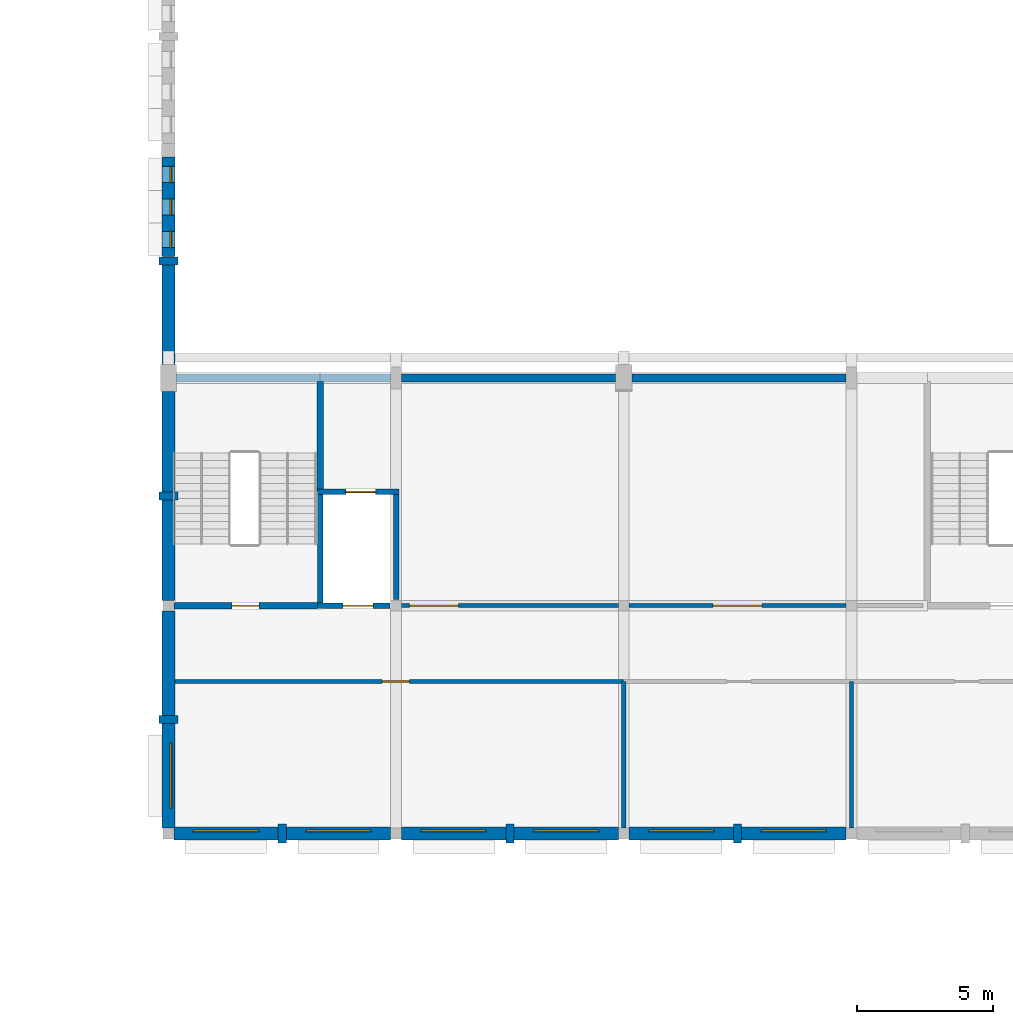
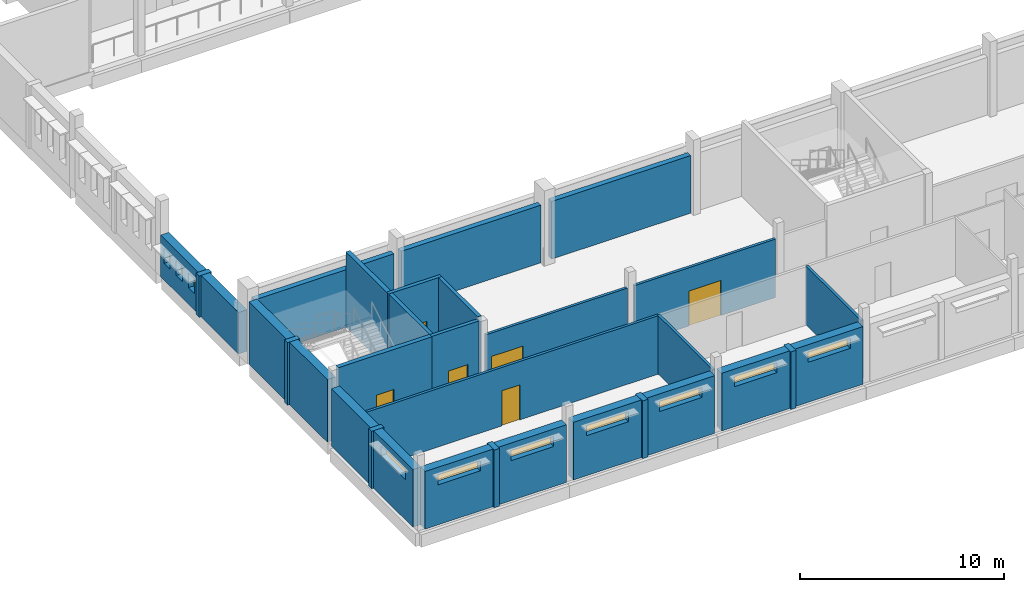
# One storey, part 32 of 60: 32 walls, 10 windows, 6 doors, 16 openings.
"""IFC4 building model written with IfcOpenShell, lengths in metres."""

import ifcopenshell
import ifcopenshell.guid

model = None  # the IFC model being written
_history = None  # IfcOwnerHistory: only IFC2X3 demands one
_inside = {}  # id of a spatial element -> (the spatial element, [elements in it])
_under = {}  # id of a project, library or spatial element -> (it, [spatial elements below it])
_declared = {}  # id of a project -> (the project, [libraries it declares])
_typed = {}  # id of a type object -> (the type object, [elements of that type])
_made_of = {}  # id of a material, layer set ... -> (it, [elements and type objects made of it])


def new_model(schema):
    """Start an empty IFC model of exactly this schema.

    Asked for "IFC4X3", IfcOpenShell would pick the latest addendum, in which some entities
    have other attributes; the version numbers below select the first issue.
    IFC2X3 requires an IfcOwnerHistory on every rooted entity: one is made here for all.
    """
    global model, _history
    if schema == "IFC4X3":
        model = ifcopenshell.file(schema_version=(4, 3, 0, 0))
    else:
        model = ifcopenshell.file(schema=schema)
    _inside.clear()
    _under.clear()
    _declared.clear()
    _typed.clear()
    _made_of.clear()
    _history = None
    if model.schema == "IFC2X3":
        org = make("IfcOrganization", Name="unknown")
        user = make(
            "IfcPersonAndOrganization",
            ThePerson=make("IfcPerson", FamilyName="unknown"),
            TheOrganization=org,
        )
        app = make(
            "IfcApplication",
            ApplicationDeveloper=org,
            Version="unknown",
            ApplicationFullName="unknown",
            ApplicationIdentifier="unknown",
        )
        _history = make(
            "IfcOwnerHistory",
            OwningUser=user,
            OwningApplication=app,
            ChangeAction="ADDED",
            CreationDate=0,
        )
    return model


def make(cls, **values):
    """One entity of the class cls with the attributes given. An attribute that is None is left unset."""
    return model.create_entity(
        cls, **{name: value for name, value in values.items() if value is not None}
    )


def rooted(cls, **values):
    """An entity with a GlobalId (a new one), such as an element, a storey or a relation."""
    return make(cls, GlobalId=ifcopenshell.guid.new(), OwnerHistory=_history, **values)


def si_unit(unit_type, name, prefix=None):
    """IfcSIUnit, for example si_unit("LENGTHUNIT", "METRE", prefix="MILLI")."""
    return make("IfcSIUnit", UnitType=unit_type, Prefix=prefix, Name=name)


def assignment(units):
    """IfcUnitAssignment: the units of a project."""
    return None if units is None else make("IfcUnitAssignment", Units=units)


def point(xyz):
    """IfcCartesianPoint."""
    return None if xyz is None else make("IfcCartesianPoint", Coordinates=xyz)


def direction(xyz):
    """IfcDirection."""
    return None if xyz is None else make("IfcDirection", DirectionRatios=xyz)


def frame(location, z_axis=None, x_axis=None):
    """IfcAxis2Placement3D, a coordinate frame: its origin and axes. An axis left out is left unset."""
    return make(
        "IfcAxis2Placement3D",
        Location=point(location),
        Axis=direction(z_axis),
        RefDirection=direction(x_axis),
    )


def frame_2d(location, x_axis=None):
    """IfcAxis2Placement2D, a coordinate frame in the plane: its origin and x axis."""
    return make(
        "IfcAxis2Placement2D", Location=point(location), RefDirection=direction(x_axis)
    )


def origin():
    """The frame at (0, 0, 0) with its axes left unset."""
    return frame((0.0, 0.0, 0.0))


def place(relative_to, where):
    """IfcLocalPlacement: puts the frame where relative to a parent placement (None: the world)."""
    return make(
        "IfcLocalPlacement", PlacementRelTo=relative_to, RelativePlacement=where
    )


def context(
    kind, dimensions, precision=None, world=None, true_north=None, identifier=None
):
    """IfcGeometricRepresentationContext, for example the 3D "Model" context."""
    return make(
        "IfcGeometricRepresentationContext",
        ContextIdentifier=identifier,
        ContextType=kind,
        CoordinateSpaceDimension=dimensions,
        Precision=precision,
        WorldCoordinateSystem=world,
        TrueNorth=true_north,
    )


def subcontext(parent, identifier, kind, view, scale=None):
    """IfcGeometricRepresentationSubContext, for example "Body" below "Model"."""
    return make(
        "IfcGeometricRepresentationSubContext",
        ContextIdentifier=identifier,
        ContextType=kind,
        ParentContext=parent,
        TargetScale=scale,
        TargetView=view,
    )


def project(units=None, contexts=None):
    """IfcProject with its units and contexts."""
    return rooted(
        "IfcProject",
        Name="project",
        RepresentationContexts=contexts,
        UnitsInContext=assignment(units),
    )


def spatial(cls, under=None, at=None, **own):
    """A site, building, storey or space (cls), placed at a placement, below another one or the project."""
    s = rooted(cls, ObjectPlacement=at, **own)
    if under is not None:
        _under.setdefault(under.id(), (under, []))[1].append(s)
    return s


def profile(cls, at=None, kind="AREA", **sizes):
    """A parametric profile (cls). Its sizes go by their IFC names, for example OverallWidth=200.0."""
    return make(cls, ProfileType=kind, Position=at, **sizes)


def rectangle(**sizes):
    """IfcRectangleProfileDef."""
    return profile("IfcRectangleProfileDef", **sizes)


def extrude(swept, where, along, depth):
    """IfcExtrudedAreaSolid: the profile swept, set in the frame where, extruded along a direction by depth."""
    return make(
        "IfcExtrudedAreaSolid",
        SweptArea=swept,
        Position=where,
        ExtrudedDirection=direction(along),
        Depth=depth,
    )


def shape(context_of_items, identifier, shape_type, items):
    """IfcShapeRepresentation: the items that make up one representation, for example the "Body"."""
    return make(
        "IfcShapeRepresentation",
        ContextOfItems=context_of_items,
        RepresentationIdentifier=identifier,
        RepresentationType=shape_type,
        Items=items,
    )


def material(Name=None, Category=None):
    """IfcMaterial."""
    return make("IfcMaterial", Name=Name, Category=Category)


def layer(
    of_material, thickness, ventilated=None, Name=None, Category=None, Priority=None
):
    """IfcMaterialLayer: one layer of a wall or slab, of a material (None: an air gap)."""
    return make(
        "IfcMaterialLayer",
        Material=of_material,
        LayerThickness=thickness,
        IsVentilated=ventilated,
        Name=Name,
        Category=Category,
        Priority=Priority,
    )


def layer_set(layers, Name=None):
    """IfcMaterialLayerSet."""
    return make("IfcMaterialLayerSet", MaterialLayers=layers, LayerSetName=Name)


def made_of(thing, what):
    """Note that an element or type object is made of a material, layer set ...; save() writes the relation."""
    if what is not None:
        _made_of.setdefault(what.id(), (what, []))[1].append(thing)
    return thing


def type_object(cls, material=None, **own):
    """A type object (cls), such as IfcWallType, which elements share."""
    return made_of(rooted(cls, **own), material)


def element(
    cls,
    number,
    at=None,
    inside=None,
    cuts=None,
    type_object=None,
    material=None,
    context=None,
    identifier="Body",
    shape_type=None,
    held_by="IfcProductDefinitionShape",
    body=None,
    shapes=None,
    **own,
):
    """One element of the class cls, such as IfcWall. Its Tag is "e" and its number.

    at: its placement. inside: the storey or other place that contains it. cuts: it is an
    opening in that element (IfcRelVoidsElement). A single representation is given by context,
    identifier, shape_type and body (its items); several are given by shapes. held_by: the class
    of the entity that holds the representations. save() writes the other relations.
    """
    e = rooted(cls, Tag="e%d" % number, ObjectPlacement=at, **own)
    if body is not None:
        shapes = [shape(context, identifier, shape_type, body)]
    if shapes is not None:
        e.Representation = make(held_by, Representations=shapes)
    if inside is not None:
        _inside.setdefault(inside.id(), (inside, []))[1].append(e)
    if cuts is not None:
        rooted(
            "IfcRelVoidsElement", RelatingBuildingElement=cuts, RelatedOpeningElement=e
        )
    if type_object is not None:
        _typed.setdefault(type_object.id(), (type_object, []))[1].append(e)
    return made_of(e, material)


def fill(opening, filler):
    """IfcRelFillsElement: the door or window that sits in an opening."""
    return rooted(
        "IfcRelFillsElement",
        RelatingOpeningElement=opening,
        RelatedBuildingElement=filler,
    )


def aggregate(whole, parts):
    """IfcRelAggregates: a whole, such as a stair, and the parts it consists of."""
    return rooted("IfcRelAggregates", RelatingObject=whole, RelatedObjects=parts)


def save(model, path):
    """Write the relations noted so far, then the file.

    IfcRelAggregates (storeys below a building ...), IfcRelContainedInSpatialStructure (elements
    in a storey), IfcRelDefinesByType, IfcRelAssociatesMaterial and IfcRelDeclares: one each for
    every whole, place, type object, material and project.
    """
    for whole, parts in _under.values():
        aggregate(whole, parts)
    for where, things in _inside.values():
        rooted(
            "IfcRelContainedInSpatialStructure",
            RelatedElements=things,
            RelatingStructure=where,
        )
    for kind, things in _typed.values():
        rooted("IfcRelDefinesByType", RelatedObjects=things, RelatingType=kind)
    for what, things in _made_of.values():
        rooted("IfcRelAssociatesMaterial", RelatedObjects=things, RelatingMaterial=what)
    for by, libraries in _declared.values():
        rooted("IfcRelDeclares", RelatingContext=by, RelatedDefinitions=libraries)
    model.write(path)


model = new_model("IFC4")

# Units and contexts
model_context = context("Model", 3, precision=1e-05, world=origin(), true_north=direction((0.0, 1.0)))
body_context = subcontext(model_context, "Body", "Model", "MODEL_VIEW")
ifc_project = project(units=[si_unit("LENGTHUNIT", "METRE"), si_unit("AREAUNIT", "SQUARE_METRE"), si_unit("VOLUMEUNIT", "CUBIC_METRE"), si_unit("PLANEANGLEUNIT", "RADIAN"), si_unit("MASSUNIT", "GRAM", prefix="KILO")], contexts=[model_context])

# Site, building, storey
site_placement = place(None, origin())
site = spatial("IfcSite", under=ifc_project, at=site_placement, CompositionType="ELEMENT")
building_placement = place(site_placement, origin())
building = spatial("IfcBuilding", under=site, at=building_placement, Name="Fescue Hill Polytechnic", CompositionType="ELEMENT")
storey_placement = place(building_placement, frame((0.0, 0.0, 4.5)))
storey = spatial("IfcBuildingStorey", under=building, at=storey_placement, Name="L01", CompositionType="ELEMENT", Elevation=4.5)

# Wall, opening, door
ifc_material_1 = material(Name="Concrete 40 MPa", Category="concrete")
ifc_layer_1 = layer(ifc_material_1, 0.25)
ifc_layer_set_1 = layer_set([ifc_layer_1], Name="Concrete 40 MPa")
wall_type_1 = type_object("IfcWallType", Name="Core wall 250", PredefinedType="SHEAR", material=ifc_layer_set_1)
wall_1_placement = place(storey_placement, frame((0.199951171875, 8.39990234375, 0.0), z_axis=(0.0, 0.0, 1.0), x_axis=(1.0, 0.0, 0.0)))
wall_1 = element("IfcWall", 1, at=wall_1_placement, inside=storey, type_object=wall_type_1, Name="CW-L01-ST-V1-1-11", PredefinedType="SHEAR", context=body_context, shape_type="SweptSolid", body=[
    extrude(rectangle(XDim=5.300048828125, YDim=0.25, at=frame_2d((2.64990234375, 0.0))), origin(), (0.0, 0.0, 1.0), 4.5),
])
opening_1_placement = place(wall_1_placement, frame((2.14990234375, 0.0, 0.0)))
opening_1 = element("IfcOpeningElement", 2, at=opening_1_placement, cuts=wall_1, Name="Opening D1076", PredefinedType="OPENING", context=body_context, shape_type="SweptSolid", body=[
    extrude(rectangle(XDim=1.0, YDim=2.10009765625, at=frame_2d((0.5, 1.050048828125))), frame((0.0, 0.135009765625, 0.0), z_axis=(0.0, -1.0, 0.0), x_axis=(1.0, 0.0, 0.0)), (0.0, 0.0, 1.0), 0.27001953125),
])
ifc_material_2 = material(Name="Steel fire door", Category="steel")
door_type_1 = type_object("IfcDoorType", Name="Door single swing 1000x2100 stair fire rated", OperationType="NOTDEFINED", PredefinedType="DOOR", material=ifc_material_2)
door_1_placement = place(opening_1_placement, origin())
door_1 = element("IfcDoor", 3, at=door_1_placement, inside=storey, type_object=door_type_1, Name="L01 ST-V1-1 stair door", OperationType="SINGLE_SWING_LEFT", OverallHeight=2.10009765625, OverallWidth=1.0, PredefinedType="DOOR", context=body_context, shape_type="SweptSolid", body=[
    extrude(rectangle(XDim=1.0, YDim=2.10009765625, at=frame_2d((0.5, 1.050048828125))), frame((0.0, 0.02490234375, 0.0), z_axis=(0.0, -1.0, 0.0), x_axis=(1.0, 0.0, 0.0)), (0.0, 0.0, 1.0), 0.050048828125),
])
fill(opening_1, door_1)

# Walls
wall_2_placement = place(storey_placement, frame((5.60009765625, 12.610107421875, 0.0), z_axis=(0.0, 0.0, 1.0), x_axis=(0.0, 1.0, 0.0)))
element("IfcWall", 4, at=wall_2_placement, inside=storey, type_object=wall_type_1, Name="CW-L01-ST-V1-1-41", PredefinedType="SHEAR", context=body_context, shape_type="SweptSolid", body=[
    extrude(rectangle(XDim=4.06494140625, YDim=0.25, at=frame_2d((2.032470703125, 0.0))), origin(), (0.0, 0.0, 1.0), 4.5),
])
ifc_material_3 = material(Name="Clay brick masonry", Category="masonry")
ifc_layer_2 = layer(ifc_material_3, 0.47998046875)
ifc_layer_set_2 = layer_set([ifc_layer_2], Name="Clay brick masonry")
wall_type_2 = type_object("IfcWallType", Name="Exterior wall engineering brick cavity 480", PredefinedType="SOLIDWALL", material=ifc_layer_set_2)
wall_3_placement = place(storey_placement, frame((0.0, 8.199951171875, 0.0), z_axis=(0.0, 0.0, 1.0), x_axis=(0.0, -1.0, 0.0)))
element("IfcWall", 5, at=wall_3_placement, inside=storey, type_object=wall_type_2, Name="EW-L01-V1-3", PredefinedType="SOLIDWALL", context=body_context, shape_type="SweptSolid", body=[
    extrude(rectangle(XDim=3.849853515625, YDim=0.47998046875, at=frame_2d((1.9248046875, 0.0))), origin(), (0.0, 0.0, 1.0), 3.449951171875),
])

# Wall, opening, window
wall_4_placement = place(storey_placement, frame((0.0, 4.050048828125, 0.0), z_axis=(0.0, 0.0, 1.0), x_axis=(0.0, -1.0, 0.0)))
wall_4 = element("IfcWall", 6, at=wall_4_placement, inside=storey, type_object=wall_type_2, Name="EW-L01-V1-4", PredefinedType="SOLIDWALL", context=body_context, shape_type="SweptSolid", body=[
    extrude(rectangle(XDim=3.85009765625, YDim=0.47998046875, at=frame_2d((1.925048828125, 0.0))), origin(), (0.0, 0.0, 1.0), 3.449951171875),
])
opening_2_placement = place(wall_4_placement, frame((0.72509765625, 0.0, 2.39990234375)))
opening_2 = element("IfcOpeningElement", 7, at=opening_2_placement, cuts=wall_4, Name="Opening W2R", PredefinedType="OPENING", context=body_context, shape_type="SweptSolid", body=[
    extrude(rectangle(XDim=2.39990234375, YDim=0.60009765625, at=frame_2d((1.199951171875, 0.300048828125))), frame((0.0, 0.25, 0.0), z_axis=(0.0, -1.0, 0.0), x_axis=(1.0, 0.0, 0.0)), (0.0, 0.0, 1.0), 0.5),
])
ifc_material_4 = material(Name="Powder-coated aluminium and glass", Category="aluminium")
window_type_1 = type_object("IfcWindowType", Name="Window workshop high 2400x600", PartitioningType="TRIPLE_PANEL_VERTICAL", PredefinedType="WINDOW", material=ifc_material_4)
window_1_placement = place(opening_2_placement, origin())
window_1 = element("IfcWindow", 8, at=window_1_placement, inside=storey, type_object=window_type_1, Name="WN-L01-V1-1", OverallHeight=0.60009765625, OverallWidth=2.39990234375, PartitioningType="SINGLE_PANEL", PredefinedType="WINDOW", context=body_context, shape_type="SweptSolid", body=[
    extrude(rectangle(XDim=2.39990234375, YDim=0.60009765625, at=frame_2d((1.199951171875, 0.300048828125))), frame((0.0, 0.1201171875, 0.0), z_axis=(0.0, -1.0, 0.0), x_axis=(1.0, 0.0, 0.0)), (0.0, 0.0, 1.0), 0.06005859375),
])
fill(opening_2, window_1)

wall_5_placement = place(storey_placement, frame((0.199951171875, 0.0, 0.0), z_axis=(0.0, 0.0, 1.0), x_axis=(1.0, 0.0, 0.0)))
wall_5 = element("IfcWall", 9, at=wall_5_placement, inside=storey, type_object=wall_type_2, Name="EW-L01-V1-5", PredefinedType="SOLIDWALL", context=body_context, shape_type="SweptSolid", body=[
    extrude(rectangle(XDim=3.85009765625, YDim=0.47998046875, at=frame_2d((1.925048828125, 0.0))), origin(), (0.0, 0.0, 1.0), 3.449951171875),
])
opening_3_placement = place(wall_5_placement, frame((0.72509765625, 0.0, 2.39990234375)))
opening_3 = element("IfcOpeningElement", 10, at=opening_3_placement, cuts=wall_5, Name="Opening W2R", PredefinedType="OPENING", context=body_context, shape_type="SweptSolid", body=[
    extrude(rectangle(XDim=2.39990234375, YDim=0.60009765625, at=frame_2d((1.199951171875, 0.300048828125))), frame((0.0, 0.25, 0.0), z_axis=(0.0, -1.0, 0.0), x_axis=(1.0, 0.0, 0.0)), (0.0, 0.0, 1.0), 0.5),
])
window_2_placement = place(opening_3_placement, origin())
window_2 = element("IfcWindow", 11, at=window_2_placement, inside=storey, type_object=window_type_1, Name="WN-L01-V1-2", OverallHeight=0.60009765625, OverallWidth=2.39990234375, PartitioningType="SINGLE_PANEL", PredefinedType="WINDOW", context=body_context, shape_type="SweptSolid", body=[
    extrude(rectangle(XDim=2.39990234375, YDim=0.60009765625, at=frame_2d((1.199951171875, 0.300048828125))), frame((0.0, 0.1201171875, 0.0), z_axis=(0.0, -1.0, 0.0), x_axis=(1.0, 0.0, 0.0)), (0.0, 0.0, 1.0), 0.06005859375),
])
fill(opening_3, window_2)

wall_6_placement = place(storey_placement, frame((4.35009765625, 0.0, 0.0), z_axis=(0.0, 0.0, 1.0), x_axis=(1.0, 0.0, 0.0)))
wall_6 = element("IfcWall", 12, at=wall_6_placement, inside=storey, type_object=wall_type_2, Name="EW-L01-V1-6", PredefinedType="SOLIDWALL", context=body_context, shape_type="SweptSolid", body=[
    extrude(rectangle(XDim=3.849853515625, YDim=0.47998046875, at=frame_2d((1.9248046875, 0.0))), origin(), (0.0, 0.0, 1.0), 3.449951171875),
])
opening_4_placement = place(wall_6_placement, frame((0.72509765625, 0.0, 2.39990234375)))
opening_4 = element("IfcOpeningElement", 13, at=opening_4_placement, cuts=wall_6, Name="Opening W2R", PredefinedType="OPENING", context=body_context, shape_type="SweptSolid", body=[
    extrude(rectangle(XDim=2.39990234375, YDim=0.60009765625, at=frame_2d((1.199951171875, 0.300048828125))), frame((0.0, 0.25, 0.0), z_axis=(0.0, -1.0, 0.0), x_axis=(1.0, 0.0, 0.0)), (0.0, 0.0, 1.0), 0.5),
])
window_3_placement = place(opening_4_placement, origin())
window_3 = element("IfcWindow", 14, at=window_3_placement, inside=storey, type_object=window_type_1, Name="WN-L01-V1-3", OverallHeight=0.60009765625, OverallWidth=2.39990234375, PartitioningType="SINGLE_PANEL", PredefinedType="WINDOW", context=body_context, shape_type="SweptSolid", body=[
    extrude(rectangle(XDim=2.39990234375, YDim=0.60009765625, at=frame_2d((1.199951171875, 0.300048828125))), frame((0.0, 0.1201171875, 0.0), z_axis=(0.0, -1.0, 0.0), x_axis=(1.0, 0.0, 0.0)), (0.0, 0.0, 1.0), 0.06005859375),
])
fill(opening_4, window_3)

wall_7_placement = place(storey_placement, frame((8.60009765625, 0.0, 0.0), z_axis=(0.0, 0.0, 1.0), x_axis=(1.0, 0.0, 0.0)))
wall_7 = element("IfcWall", 15, at=wall_7_placement, inside=storey, type_object=wall_type_2, Name="EW-L01-V1-7", PredefinedType="SOLIDWALL", context=body_context, shape_type="SweptSolid", body=[
    extrude(rectangle(XDim=3.849853515625, YDim=0.47998046875, at=frame_2d((1.9248046875, 0.0))), origin(), (0.0, 0.0, 1.0), 3.449951171875),
])
opening_5_placement = place(wall_7_placement, frame((0.72509765625, 0.0, 2.39990234375)))
opening_5 = element("IfcOpeningElement", 16, at=opening_5_placement, cuts=wall_7, Name="Opening W2R", PredefinedType="OPENING", context=body_context, shape_type="SweptSolid", body=[
    extrude(rectangle(XDim=2.39990234375, YDim=0.60009765625, at=frame_2d((1.199951171875, 0.300048828125))), frame((0.0, 0.25, 0.0), z_axis=(0.0, -1.0, 0.0), x_axis=(1.0, 0.0, 0.0)), (0.0, 0.0, 1.0), 0.5),
])
window_4_placement = place(opening_5_placement, origin())
window_4 = element("IfcWindow", 17, at=window_4_placement, inside=storey, type_object=window_type_1, Name="WN-L01-V1-4", OverallHeight=0.60009765625, OverallWidth=2.39990234375, PartitioningType="SINGLE_PANEL", PredefinedType="WINDOW", context=body_context, shape_type="SweptSolid", body=[
    extrude(rectangle(XDim=2.39990234375, YDim=0.60009765625, at=frame_2d((1.199951171875, 0.300048828125))), frame((0.0, 0.1201171875, 0.0), z_axis=(0.0, -1.0, 0.0), x_axis=(1.0, 0.0, 0.0)), (0.0, 0.0, 1.0), 0.06005859375),
])
fill(opening_5, window_4)

wall_8_placement = place(storey_placement, frame((12.75, 0.0, 0.0), z_axis=(0.0, 0.0, 1.0), x_axis=(1.0, 0.0, 0.0)))
wall_8 = element("IfcWall", 18, at=wall_8_placement, inside=storey, type_object=wall_type_2, Name="EW-L01-V1-8", PredefinedType="SOLIDWALL", context=body_context, shape_type="SweptSolid", body=[
    extrude(rectangle(XDim=3.85009765625, YDim=0.47998046875, at=frame_2d((1.925048828125, 0.0))), origin(), (0.0, 0.0, 1.0), 3.449951171875),
])
opening_6_placement = place(wall_8_placement, frame((0.72509765625, 0.0, 2.39990234375)))
opening_6 = element("IfcOpeningElement", 19, at=opening_6_placement, cuts=wall_8, Name="Opening W2R", PredefinedType="OPENING", context=body_context, shape_type="SweptSolid", body=[
    extrude(rectangle(XDim=2.39990234375, YDim=0.60009765625, at=frame_2d((1.199951171875, 0.300048828125))), frame((0.0, 0.25, 0.0), z_axis=(0.0, -1.0, 0.0), x_axis=(1.0, 0.0, 0.0)), (0.0, 0.0, 1.0), 0.5),
])
window_5_placement = place(opening_6_placement, origin())
window_5 = element("IfcWindow", 20, at=window_5_placement, inside=storey, type_object=window_type_1, Name="WN-L01-V1-5", OverallHeight=0.60009765625, OverallWidth=2.39990234375, PartitioningType="SINGLE_PANEL", PredefinedType="WINDOW", context=body_context, shape_type="SweptSolid", body=[
    extrude(rectangle(XDim=2.39990234375, YDim=0.60009765625, at=frame_2d((1.199951171875, 0.300048828125))), frame((0.0, 0.1201171875, 0.0), z_axis=(0.0, -1.0, 0.0), x_axis=(1.0, 0.0, 0.0)), (0.0, 0.0, 1.0), 0.06005859375),
])
fill(opening_6, window_5)

wall_9_placement = place(storey_placement, frame((17.0, 0.0, 0.0), z_axis=(0.0, 0.0, 1.0), x_axis=(1.0, 0.0, 0.0)))
wall_9 = element("IfcWall", 21, at=wall_9_placement, inside=storey, type_object=wall_type_2, Name="EW-L01-V1-9", PredefinedType="SOLIDWALL", context=body_context, shape_type="SweptSolid", body=[
    extrude(rectangle(XDim=3.85009765625, YDim=0.47998046875, at=frame_2d((1.925048828125, 0.0))), origin(), (0.0, 0.0, 1.0), 3.449951171875),
])
opening_7_placement = place(wall_9_placement, frame((0.72509765625, 0.0, 2.39990234375)))
opening_7 = element("IfcOpeningElement", 22, at=opening_7_placement, cuts=wall_9, Name="Opening W2R", PredefinedType="OPENING", context=body_context, shape_type="SweptSolid", body=[
    extrude(rectangle(XDim=2.39990234375, YDim=0.60009765625, at=frame_2d((1.199951171875, 0.300048828125))), frame((0.0, 0.25, 0.0), z_axis=(0.0, -1.0, 0.0), x_axis=(1.0, 0.0, 0.0)), (0.0, 0.0, 1.0), 0.5),
])
window_6_placement = place(opening_7_placement, origin())
window_6 = element("IfcWindow", 23, at=window_6_placement, inside=storey, type_object=window_type_1, Name="WN-L01-V1-6", OverallHeight=0.60009765625, OverallWidth=2.39990234375, PartitioningType="SINGLE_PANEL", PredefinedType="WINDOW", context=body_context, shape_type="SweptSolid", body=[
    extrude(rectangle(XDim=2.39990234375, YDim=0.60009765625, at=frame_2d((1.199951171875, 0.300048828125))), frame((0.0, 0.1201171875, 0.0), z_axis=(0.0, -1.0, 0.0), x_axis=(1.0, 0.0, 0.0)), (0.0, 0.0, 1.0), 0.06005859375),
])
fill(opening_7, window_6)

wall_10_placement = place(storey_placement, frame((21.14990234375, 0.0, 0.0), z_axis=(0.0, 0.0, 1.0), x_axis=(1.0, 0.0, 0.0)))
wall_10 = element("IfcWall", 24, at=wall_10_placement, inside=storey, type_object=wall_type_2, Name="EW-L01-V1-10", PredefinedType="SOLIDWALL", context=body_context, shape_type="SweptSolid", body=[
    extrude(rectangle(XDim=3.85009765625, YDim=0.47998046875, at=frame_2d((1.925048828125, 0.0))), origin(), (0.0, 0.0, 1.0), 3.449951171875),
])
opening_8_placement = place(wall_10_placement, frame((0.72509765625, 0.0, 2.39990234375)))
opening_8 = element("IfcOpeningElement", 25, at=opening_8_placement, cuts=wall_10, Name="Opening W2R", PredefinedType="OPENING", context=body_context, shape_type="SweptSolid", body=[
    extrude(rectangle(XDim=2.39990234375, YDim=0.60009765625, at=frame_2d((1.199951171875, 0.300048828125))), frame((0.0, 0.25, 0.0), z_axis=(0.0, -1.0, 0.0), x_axis=(1.0, 0.0, 0.0)), (0.0, 0.0, 1.0), 0.5),
])
window_7_placement = place(opening_8_placement, origin())
window_7 = element("IfcWindow", 26, at=window_7_placement, inside=storey, type_object=window_type_1, Name="WN-L01-V1-7", OverallHeight=0.60009765625, OverallWidth=2.39990234375, PartitioningType="SINGLE_PANEL", PredefinedType="WINDOW", context=body_context, shape_type="SweptSolid", body=[
    extrude(rectangle(XDim=2.39990234375, YDim=0.60009765625, at=frame_2d((1.199951171875, 0.300048828125))), frame((0.0, 0.1201171875, 0.0), z_axis=(0.0, -1.0, 0.0), x_axis=(1.0, 0.0, 0.0)), (0.0, 0.0, 1.0), 0.06005859375),
])
fill(opening_8, window_7)

# Wall, openings, windows
wall_11_placement = place(storey_placement, frame((0.0, 24.949951171875, 0.0), z_axis=(0.0, 0.0, 1.0), x_axis=(0.0, -1.0, 0.0)))
wall_11 = element("IfcWall", 27, at=wall_11_placement, inside=storey, type_object=wall_type_2, Name="EW-L01-V1-77", PredefinedType="SOLIDWALL", context=body_context, shape_type="SweptSolid", body=[
    extrude(rectangle(XDim=3.675048828125, YDim=0.47998046875, at=frame_2d((1.83740234375, 0.0))), origin(), (0.0, 0.0, 1.0), 2.489013671875),
])
opening_9_placement = place(wall_11_placement, frame((0.33740234375, 0.0, 1.0)))
opening_9 = element("IfcOpeningElement", 28, at=opening_9_placement, cuts=wall_11, Name="Opening W6R2", PredefinedType="OPENING", context=body_context, shape_type="SweptSolid", body=[
    extrude(rectangle(XDim=0.60009765625, YDim=0.89990234375, at=frame_2d((0.300048828125, 0.449951171875))), frame((0.0, 0.25, 0.0), z_axis=(0.0, -1.0, 0.0), x_axis=(1.0, 0.0, 0.0)), (0.0, 0.0, 1.0), 0.5),
])
opening_10_placement = place(wall_11_placement, frame((1.53759765625, 0.0, 1.0)))
opening_10 = element("IfcOpeningElement", 29, at=opening_10_placement, cuts=wall_11, Name="Opening W6R2", PredefinedType="OPENING", context=body_context, shape_type="SweptSolid", body=[
    extrude(rectangle(XDim=0.60009765625, YDim=0.89990234375, at=frame_2d((0.300048828125, 0.449951171875))), frame((0.0, 0.25, 0.0), z_axis=(0.0, -1.0, 0.0), x_axis=(1.0, 0.0, 0.0)), (0.0, 0.0, 1.0), 0.5),
])
opening_11_placement = place(wall_11_placement, frame((2.737548828125, 0.0, 1.0)))
opening_11 = element("IfcOpeningElement", 30, at=opening_11_placement, cuts=wall_11, Name="Opening W6R2", PredefinedType="OPENING", context=body_context, shape_type="SweptSolid", body=[
    extrude(rectangle(XDim=0.60009765625, YDim=0.89990234375, at=frame_2d((0.300048828125, 0.449951171875))), frame((0.0, 0.25, 0.0), z_axis=(0.0, -1.0, 0.0), x_axis=(1.0, 0.0, 0.0)), (0.0, 0.0, 1.0), 0.5),
])
window_type_2 = type_object("IfcWindowType", Name="Window slot 600x900", PartitioningType="SINGLE_PANEL", PredefinedType="WINDOW", material=ifc_material_4)
window_8_placement = place(opening_9_placement, origin())
window_8 = element("IfcWindow", 31, at=window_8_placement, inside=storey, type_object=window_type_2, Name="WN-L01-V1-45", OverallHeight=0.89990234375, OverallWidth=0.60009765625, PartitioningType="SINGLE_PANEL", PredefinedType="WINDOW", context=body_context, shape_type="SweptSolid", body=[
    extrude(rectangle(XDim=0.60009765625, YDim=0.89990234375, at=frame_2d((0.300048828125, 0.449951171875))), frame((0.0, 0.1201171875, 0.0), z_axis=(0.0, -1.0, 0.0), x_axis=(1.0, 0.0, 0.0)), (0.0, 0.0, 1.0), 0.06005859375),
])
fill(opening_9, window_8)
window_9_placement = place(opening_10_placement, origin())
window_9 = element("IfcWindow", 32, at=window_9_placement, inside=storey, type_object=window_type_2, Name="WN-L01-V1-46", OverallHeight=0.89990234375, OverallWidth=0.60009765625, PartitioningType="SINGLE_PANEL", PredefinedType="WINDOW", context=body_context, shape_type="SweptSolid", body=[
    extrude(rectangle(XDim=0.60009765625, YDim=0.89990234375, at=frame_2d((0.300048828125, 0.449951171875))), frame((0.0, 0.1201171875, 0.0), z_axis=(0.0, -1.0, 0.0), x_axis=(1.0, 0.0, 0.0)), (0.0, 0.0, 1.0), 0.06005859375),
])
fill(opening_10, window_9)
window_10_placement = place(opening_11_placement, origin())
window_10 = element("IfcWindow", 33, at=window_10_placement, inside=storey, type_object=window_type_2, Name="WN-L01-V1-47", OverallHeight=0.89990234375, OverallWidth=0.60009765625, PartitioningType="SINGLE_PANEL", PredefinedType="WINDOW", context=body_context, shape_type="SweptSolid", body=[
    extrude(rectangle(XDim=0.60009765625, YDim=0.89990234375, at=frame_2d((0.300048828125, 0.449951171875))), frame((0.0, 0.1201171875, 0.0), z_axis=(0.0, -1.0, 0.0), x_axis=(1.0, 0.0, 0.0)), (0.0, 0.0, 1.0), 0.06005859375),
])
fill(opening_11, window_10)

# Walls
wall_12_placement = place(storey_placement, frame((0.0, 20.97509765625, 0.0), z_axis=(0.0, 0.0, 1.0), x_axis=(0.0, -1.0, 0.0)))
element("IfcWall", 34, at=wall_12_placement, inside=storey, type_object=wall_type_2, Name="EW-L01-V1-78", PredefinedType="SOLIDWALL", context=body_context, shape_type="SweptSolid", body=[
    extrude(rectangle(XDim=3.675048828125, YDim=0.47998046875, at=frame_2d((1.83740234375, 0.0))), origin(), (0.0, 0.0, 1.0), 2.489013671875),
])
ifc_layer_3 = layer(ifc_material_3, 0.47998046875)
ifc_layer_set_3 = layer_set([ifc_layer_3], Name="Clay brick masonry")
wall_type_3 = type_object("IfcWallType", Name="Exterior wall engineering brick cavity 480 load-bearing", PredefinedType="SOLIDWALL", material=ifc_layer_set_3)
for number, where, z_axis, x_axis, name in (
    (35, (0.0, 16.300048828125, 0.0), (0.0, 0.0, 1.0), (0.0, -1.0, 0.0), "EW-L01-V1-1"),
    (36, (0.0, 12.300048828125, 0.0), (0.0, 0.0, 1.0), (0.0, -1.0, 0.0), "EW-L01-V1-2"),
):
    element("IfcWall", number, at=place(storey_placement, frame(where, z_axis=z_axis, x_axis=x_axis)), inside=storey, type_object=wall_type_3, Name=name, PredefinedType="SOLIDWALL", context=body_context, shape_type="SweptSolid", body=[
        extrude(rectangle(XDim=3.699951171875, YDim=0.47998046875, at=frame_2d((1.85009765625, 0.0))), origin(), (0.0, 0.0, 1.0), 3.75),
    ])
ifc_layer_4 = layer(ifc_material_1, 0.699951171875)
ifc_layer_set_4 = layer_set([ifc_layer_4], Name="Concrete 40 MPa")
wall_type_4 = type_object("IfcWallType", Name="Fin wall board-marked 300x700", PredefinedType="SOLIDWALL", material=ifc_layer_set_4)
for number, where, z_axis, x_axis, name in (
    (37, (0.0, 4.35009765625, 0.0), (0.0, 0.0, 1.0), (0.0, -1.0, 0.0), "PR-L01-V1-2"),
    (38, (4.050048828125, 0.0, 0.0), (0.0, 0.0, 1.0), (1.0, 0.0, 0.0), "PR-L01-V1-3"),
    (39, (12.449951171875, 0.0, 0.0), (0.0, 0.0, 1.0), (1.0, 0.0, 0.0), "PR-L01-V1-4"),
):
    element("IfcWall", number, at=place(storey_placement, frame(where, z_axis=z_axis, x_axis=x_axis)), inside=storey, type_object=wall_type_4, Name=name, PredefinedType="SOLIDWALL", context=body_context, shape_type="SweptSolid", body=[
        extrude(rectangle(XDim=0.300048828125, YDim=0.699951171875, at=frame_2d((0.14990234375, 0.0))), origin(), (0.0, 0.0, 1.0), 3.449951171875),
    ])
wall_13_placement = place(storey_placement, frame((20.85009765625, 0.0, 0.0), z_axis=(0.0, 0.0, 1.0), x_axis=(1.0, 0.0, 0.0)))
element("IfcWall", 40, at=wall_13_placement, inside=storey, type_object=wall_type_4, Name="PR-L01-V1-5", PredefinedType="SOLIDWALL", context=body_context, shape_type="SweptSolid", body=[
    extrude(rectangle(XDim=0.2998046875, YDim=0.699951171875, at=frame_2d((0.14990234375, 0.0))), origin(), (0.0, 0.0, 1.0), 3.449951171875),
])
wall_14_placement = place(storey_placement, frame((0.0, 21.27490234375, 0.0), z_axis=(0.0, 0.0, 1.0), x_axis=(0.0, -1.0, 0.0)))
element("IfcWall", 41, at=wall_14_placement, inside=storey, type_object=wall_type_4, Name="PR-L01-V1-29", PredefinedType="SOLIDWALL", context=body_context, shape_type="SweptSolid", body=[
    extrude(rectangle(XDim=0.2998046875, YDim=0.699951171875, at=frame_2d((0.14990234375, 0.0))), origin(), (0.0, 0.0, 1.0), 2.489013671875),
])
ifc_layer_5 = layer(ifc_material_1, 0.699951171875)
ifc_layer_set_5 = layer_set([ifc_layer_5], Name="Concrete 40 MPa")
wall_type_5 = type_object("IfcWallType", Name="Fin wall board-marked 300x700 load-bearing", PredefinedType="SOLIDWALL", material=ifc_layer_set_5)
wall_15_placement = place(storey_placement, frame((0.0, 12.60009765625, 0.0), z_axis=(0.0, 0.0, 1.0), x_axis=(0.0, -1.0, 0.0)))
element("IfcWall", 42, at=wall_15_placement, inside=storey, type_object=wall_type_5, Name="PR-L01-V1-1", PredefinedType="SOLIDWALL", context=body_context, shape_type="SweptSolid", body=[
    extrude(rectangle(XDim=0.300048828125, YDim=0.699951171875, at=frame_2d((0.14990234375, 0.0))), origin(), (0.0, 0.0, 1.0), 3.75),
])
ifc_layer_6 = layer(ifc_material_1, 0.300048828125)
ifc_layer_set_6 = layer_set([ifc_layer_6], Name="Concrete 40 MPa")
wall_type_6 = type_object("IfcWallType", Name="Hall wall concrete 300 fire rated", PredefinedType="SOLIDWALL", material=ifc_layer_set_6)
for number, where, z_axis, x_axis, name in (
    (43, (25.0, 16.800048828125, 0.0), (0.0, 0.0, 1.0), (-1.0, 0.0, 0.0), "EW-L01-V1-48"),
    (44, (16.5, 16.800048828125, 0.0), (0.0, 0.0, 1.0), (-1.0, 0.0, 0.0), "EW-L01-V1-49"),
):
    element("IfcWall", number, at=place(storey_placement, frame(where, z_axis=z_axis, x_axis=x_axis)), inside=storey, type_object=wall_type_6, Name=name, PredefinedType="SOLIDWALL", context=body_context, shape_type="SweptSolid", body=[
        extrude(rectangle(XDim=7.89990234375, YDim=0.300048828125, at=frame_2d((3.949951171875, 0.0))), origin(), (0.0, 0.0, 1.0), 3.449951171875),
    ])
ifc_layer_7 = layer(ifc_material_1, 0.300048828125)
ifc_layer_set_7 = layer_set([ifc_layer_7], Name="Concrete 40 MPa")
wall_type_7 = type_object("IfcWallType", Name="Hall wall concrete 300 load-bearing REI 120", PredefinedType="SOLIDWALL", material=ifc_layer_set_7)
wall_16_placement = place(storey_placement, frame((8.199951171875, 16.800048828125, 0.0), z_axis=(0.0, 0.0, 1.0), x_axis=(-1.0, 0.0, 0.0)))
element("IfcWall", 45, at=wall_16_placement, inside=storey, type_object=wall_type_7, Name="EW-L01-V1-50", PredefinedType="SOLIDWALL", context=body_context, shape_type="SweptSolid", body=[
    extrude(rectangle(XDim=7.89990234375, YDim=0.300048828125, at=frame_2d((3.949951171875, 0.0))), origin(), (0.0, 0.0, 1.0), 3.449951171875),
])

# Wall, opening, door
ifc_material_5 = material(Name="Concrete masonry block 15 MPa", Category="masonry")
ifc_layer_8 = layer(ifc_material_5, 0.14990234375)
ifc_layer_set_8 = layer_set([ifc_layer_8], Name="Concrete masonry block 15 MPa")
wall_type_8 = type_object("IfcWallType", Name="Laboratory wall 150 block EI 60", PredefinedType="PARTITIONING", material=ifc_layer_set_8)
wall_17_placement = place(storey_placement, frame((0.239990234375, 5.60009765625, 0.0), z_axis=(0.0, 0.0, 1.0), x_axis=(1.0, 0.0, 0.0)))
wall_17 = element("IfcWall", 46, at=wall_17_placement, inside=storey, type_object=wall_type_8, Name="IW-L01-004", PredefinedType="PARTITIONING", context=body_context, shape_type="SweptSolid", body=[
    extrude(rectangle(XDim=16.56005859375, YDim=0.14990234375, at=frame_2d((8.280029296875, 0.0))), origin(), (0.0, 0.0, 1.0), 3.5),
])
opening_12_placement = place(wall_17_placement, frame((7.64990234375, 0.0, 0.0)))
opening_12 = element("IfcOpeningElement", 47, at=opening_12_placement, cuts=wall_17, Name="Opening D1012", PredefinedType="OPENING", context=body_context, shape_type="SweptSolid", body=[
    extrude(rectangle(XDim=1.0, YDim=2.10009765625, at=frame_2d((0.5, 1.050048828125))), frame((0.0, 0.0849609375, 0.0), z_axis=(0.0, -1.0, 0.0), x_axis=(1.0, 0.0, 0.0)), (0.0, 0.0, 1.0), 0.169921875),
])
ifc_material_6 = material(Name="Steel", Category="steel")
door_type_2 = type_object("IfcDoorType", Name="Door single swing 1000x2100 FD60", OperationType="SINGLE_SWING_LEFT", PredefinedType="DOOR", material=ifc_material_6)
door_2_placement = place(opening_12_placement, origin())
door_2 = element("IfcDoor", 48, at=door_2_placement, inside=storey, type_object=door_type_2, Name="Door D1012", OperationType="SINGLE_SWING_LEFT", OverallHeight=2.10009765625, OverallWidth=1.0, PredefinedType="DOOR", context=body_context, shape_type="SweptSolid", body=[
    extrude(rectangle(XDim=1.0, YDim=2.10009765625, at=frame_2d((0.5, 1.050048828125))), frame((0.0, 0.02490234375, 0.0), z_axis=(0.0, -1.0, 0.0), x_axis=(1.0, 0.0, 0.0)), (0.0, 0.0, 1.0), 0.050048828125),
])
fill(opening_12, door_2)

wall_18_placement = place(storey_placement, frame((8.60009765625, 8.39990234375, 0.0), z_axis=(0.0, 0.0, 1.0), x_axis=(1.0, 0.0, 0.0)))
wall_18 = element("IfcWall", 49, at=wall_18_placement, inside=storey, type_object=wall_type_8, Name="IW-L01-016", PredefinedType="PARTITIONING", context=body_context, shape_type="SweptSolid", body=[
    extrude(rectangle(XDim=8.0, YDim=0.14990234375, at=frame_2d((4.0, 0.0))), origin(), (0.0, 0.0, 1.0), 3.5),
])
opening_13_placement = place(wall_18_placement, frame((0.300048828125, 0.0, 0.0)))
opening_13 = element("IfcOpeningElement", 50, at=opening_13_placement, cuts=wall_18, Name="Opening D1027", PredefinedType="OPENING", context=body_context, shape_type="SweptSolid", body=[
    extrude(rectangle(XDim=1.800048828125, YDim=2.10009765625, at=frame_2d((0.89990234375, 1.050048828125))), frame((0.0, 0.0849609375, 0.0), z_axis=(0.0, -1.0, 0.0), x_axis=(1.0, 0.0, 0.0)), (0.0, 0.0, 1.0), 0.169921875),
])
door_type_3 = type_object("IfcDoorType", Name="Door double swing 1800x2100 FD60", OperationType="DOUBLE_DOOR_SINGLE_SWING", PredefinedType="DOOR", material=ifc_material_6)
door_3_placement = place(opening_13_placement, origin())
door_3 = element("IfcDoor", 51, at=door_3_placement, inside=storey, type_object=door_type_3, Name="Door D1027", OperationType="DOUBLE_DOOR_SINGLE_SWING", OverallHeight=2.10009765625, OverallWidth=1.800048828125, PredefinedType="DOOR", context=body_context, shape_type="SweptSolid", body=[
    extrude(rectangle(XDim=1.800048828125, YDim=2.10009765625, at=frame_2d((0.89990234375, 1.050048828125))), frame((0.0, 0.02490234375, 0.0), z_axis=(0.0, -1.0, 0.0), x_axis=(1.0, 0.0, 0.0)), (0.0, 0.0, 1.0), 0.050048828125),
])
fill(opening_13, door_3)

wall_19_placement = place(storey_placement, frame((17.0, 8.39990234375, 0.0), z_axis=(0.0, 0.0, 1.0), x_axis=(1.0, 0.0, 0.0)))
wall_19 = element("IfcWall", 52, at=wall_19_placement, inside=storey, type_object=wall_type_8, Name="IW-L01-017", PredefinedType="PARTITIONING", context=body_context, shape_type="SweptSolid", body=[
    extrude(rectangle(XDim=8.0, YDim=0.14990234375, at=frame_2d((4.0, 0.0))), origin(), (0.0, 0.0, 1.0), 3.5),
])
opening_14_placement = place(wall_19_placement, frame((3.10009765625, 0.0, 0.0)))
opening_14 = element("IfcOpeningElement", 53, at=opening_14_placement, cuts=wall_19, Name="Opening D1026", PredefinedType="OPENING", context=body_context, shape_type="SweptSolid", body=[
    extrude(rectangle(XDim=1.800048828125, YDim=2.10009765625, at=frame_2d((0.89990234375, 1.050048828125))), frame((0.0, 0.0849609375, 0.0), z_axis=(0.0, -1.0, 0.0), x_axis=(1.0, 0.0, 0.0)), (0.0, 0.0, 1.0), 0.169921875),
])
door_4_placement = place(opening_14_placement, origin())
door_4 = element("IfcDoor", 54, at=door_4_placement, inside=storey, type_object=door_type_3, Name="Door D1026", OperationType="DOUBLE_DOOR_SINGLE_SWING", OverallHeight=2.10009765625, OverallWidth=1.800048828125, PredefinedType="DOOR", context=body_context, shape_type="SweptSolid", body=[
    extrude(rectangle(XDim=1.800048828125, YDim=2.10009765625, at=frame_2d((0.89990234375, 1.050048828125))), frame((0.0, 0.02490234375, 0.0), z_axis=(0.0, -1.0, 0.0), x_axis=(1.0, 0.0, 0.0)), (0.0, 0.0, 1.0), 0.050048828125),
])
fill(opening_14, door_4)

# Wall
wall_20_placement = place(storey_placement, frame((16.800048828125, 0.199951171875, 0.0), z_axis=(0.0, 0.0, 1.0), x_axis=(0.0, 1.0, 0.0)))
element("IfcWall", 55, at=wall_20_placement, inside=storey, type_object=wall_type_8, Name="IW-L01-075", PredefinedType="PARTITIONING", context=body_context, shape_type="SweptSolid", body=[
    extrude(rectangle(XDim=5.400146484375, YDim=0.14990234375, at=frame_2d((2.7001953125, 0.0))), origin(), (0.0, 0.0, 1.0), 3.5),
])

# Wall, opening, door
ifc_layer_9 = layer(ifc_material_1, 0.199951171875)
ifc_layer_set_9 = layer_set([ifc_layer_9], Name="Concrete 40 MPa")
wall_type_9 = type_object("IfcWallType", Name="Lift shaft wall 200", PredefinedType="SHEAR", material=ifc_layer_set_9)
wall_21_placement = place(storey_placement, frame((5.5, 8.39990234375, 0.0), z_axis=(0.0, 0.0, 1.0), x_axis=(1.0, 0.0, 0.0)))
wall_21 = element("IfcWall", 56, at=wall_21_placement, inside=storey, type_object=wall_type_9, Name="CW-L01-LF-V1-1-11", PredefinedType="SHEAR", context=body_context, shape_type="SweptSolid", body=[
    extrude(rectangle(XDim=2.675048828125, YDim=0.199951171875, at=frame_2d((1.33740234375, 0.0))), origin(), (0.0, 0.0, 1.0), 4.5),
])
opening_15_placement = place(wall_21_placement, frame((0.949951171875, 0.0, 0.0)))
opening_15 = element("IfcOpeningElement", 57, at=opening_15_placement, cuts=wall_21, Name="Opening LD1-L01", PredefinedType="OPENING", context=body_context, shape_type="SweptSolid", body=[
    extrude(rectangle(XDim=1.10009765625, YDim=2.10009765625, at=frame_2d((0.550048828125, 1.050048828125))), frame((0.0, 0.10986328125, 0.0), z_axis=(0.0, -1.0, 0.0), x_axis=(1.0, 0.0, 0.0)), (0.0, 0.0, 1.0), 0.219970703125),
])
ifc_material_7 = material(Name="Stainless steel", Category="steel")
door_type_4 = type_object("IfcDoorType", Name="Lift landing door sliding 1100x2100", OperationType="SLIDING_TO_LEFT", PredefinedType="DOOR", material=ifc_material_7)
door_5_placement = place(opening_15_placement, origin())
door_5 = element("IfcDoor", 58, at=door_5_placement, inside=storey, type_object=door_type_4, Name="L01 LF-V1-1 lift landing door", OperationType="SLIDING_TO_LEFT", OverallHeight=2.10009765625, OverallWidth=1.10009765625, PredefinedType="DOOR", context=body_context, shape_type="SweptSolid", body=[
    extrude(rectangle(XDim=1.10009765625, YDim=2.10009765625, at=frame_2d((0.550048828125, 1.050048828125))), frame((0.0, 0.02490234375, 0.0), z_axis=(0.0, -1.0, 0.0), x_axis=(1.0, 0.0, 0.0)), (0.0, 0.0, 1.0), 0.050048828125),
])
fill(opening_15, door_5)

wall_22_placement = place(storey_placement, frame((5.5, 12.60009765625, 0.0), z_axis=(0.0, 0.0, 1.0), x_axis=(1.0, 0.0, 0.0)))
wall_22 = element("IfcWall", 59, at=wall_22_placement, inside=storey, type_object=wall_type_9, Name="CW-L01-LF-V1-1-21", PredefinedType="SHEAR", context=body_context, shape_type="SweptSolid", body=[
    extrude(rectangle(XDim=3.0, YDim=0.199951171875, at=frame_2d((1.5, 0.0))), origin(), (0.0, 0.0, 1.0), 4.5),
])
opening_16_placement = place(wall_22_placement, frame((1.050048828125, 0.0, 0.0)))
opening_16 = element("IfcOpeningElement", 60, at=opening_16_placement, cuts=wall_22, Name="Opening LD1-L01N", PredefinedType="OPENING", context=body_context, shape_type="SweptSolid", body=[
    extrude(rectangle(XDim=1.10009765625, YDim=2.10009765625, at=frame_2d((0.550048828125, 1.050048828125))), frame((0.0, 0.10986328125, 0.0), z_axis=(0.0, -1.0, 0.0), x_axis=(1.0, 0.0, 0.0)), (0.0, 0.0, 1.0), 0.219970703125),
])
door_6_placement = place(opening_16_placement, origin())
door_6 = element("IfcDoor", 61, at=door_6_placement, inside=storey, type_object=door_type_4, Name="L01 LF-V1-1 lift landing door", OperationType="SLIDING_TO_RIGHT", OverallHeight=2.10009765625, OverallWidth=1.10009765625, PredefinedType="DOOR", context=body_context, shape_type="SweptSolid", body=[
    extrude(rectangle(XDim=1.10009765625, YDim=2.10009765625, at=frame_2d((0.550048828125, 1.050048828125))), frame((0.0, 0.02490234375, 0.0), z_axis=(0.0, -1.0, 0.0), x_axis=(1.0, 0.0, 0.0)), (0.0, 0.0, 1.0), 0.050048828125),
])
fill(opening_16, door_6)

# Walls
wall_23_placement = place(storey_placement, frame((5.60009765625, 8.5, 0.0), z_axis=(0.0, 0.0, 1.0), x_axis=(0.0, 1.0, 0.0)))
element("IfcWall", 62, at=wall_23_placement, inside=storey, type_object=wall_type_9, Name="CW-L01-LF-V1-1-31", PredefinedType="SHEAR", context=body_context, shape_type="SweptSolid", body=[
    extrude(rectangle(XDim=4.0, YDim=0.199951171875, at=frame_2d((2.0, 0.0))), origin(), (0.0, 0.0, 1.0), 4.5),
])
wall_24_placement = place(storey_placement, frame((8.39990234375, 8.625, 0.0), z_axis=(0.0, 0.0, 1.0), x_axis=(0.0, 1.0, 0.0)))
element("IfcWall", 63, at=wall_24_placement, inside=storey, type_object=wall_type_9, Name="CW-L01-LF-V1-1-41", PredefinedType="SHEAR", context=body_context, shape_type="SweptSolid", body=[
    extrude(rectangle(XDim=3.875, YDim=0.199951171875, at=frame_2d((1.9375, 0.0))), origin(), (0.0, 0.0, 1.0), 4.5),
])
ifc_material_8 = material(Name="Gypsum board partition")
ifc_layer_10 = layer(ifc_material_8, 0.14990234375)
ifc_layer_set_10 = layer_set([ifc_layer_10], Name="Gypsum board partition")
wall_type_10 = type_object("IfcWallType", Name="Partition stud 150 acoustic", PredefinedType="PARTITIONING", material=ifc_layer_set_10)
wall_25_placement = place(storey_placement, frame((25.199951171875, 0.199951171875, 0.0), z_axis=(0.0, 0.0, 1.0), x_axis=(0.0, 1.0, 0.0)))
element("IfcWall", 64, at=wall_25_placement, inside=storey, type_object=wall_type_10, Name="IW-L01-077", PredefinedType="PARTITIONING", context=body_context, shape_type="SweptSolid", body=[
    extrude(rectangle(XDim=5.400146484375, YDim=0.14990234375, at=frame_2d((2.7001953125, 0.0))), origin(), (0.0, 0.0, 1.0), 3.5),
])

save(model, "model.ifc")
